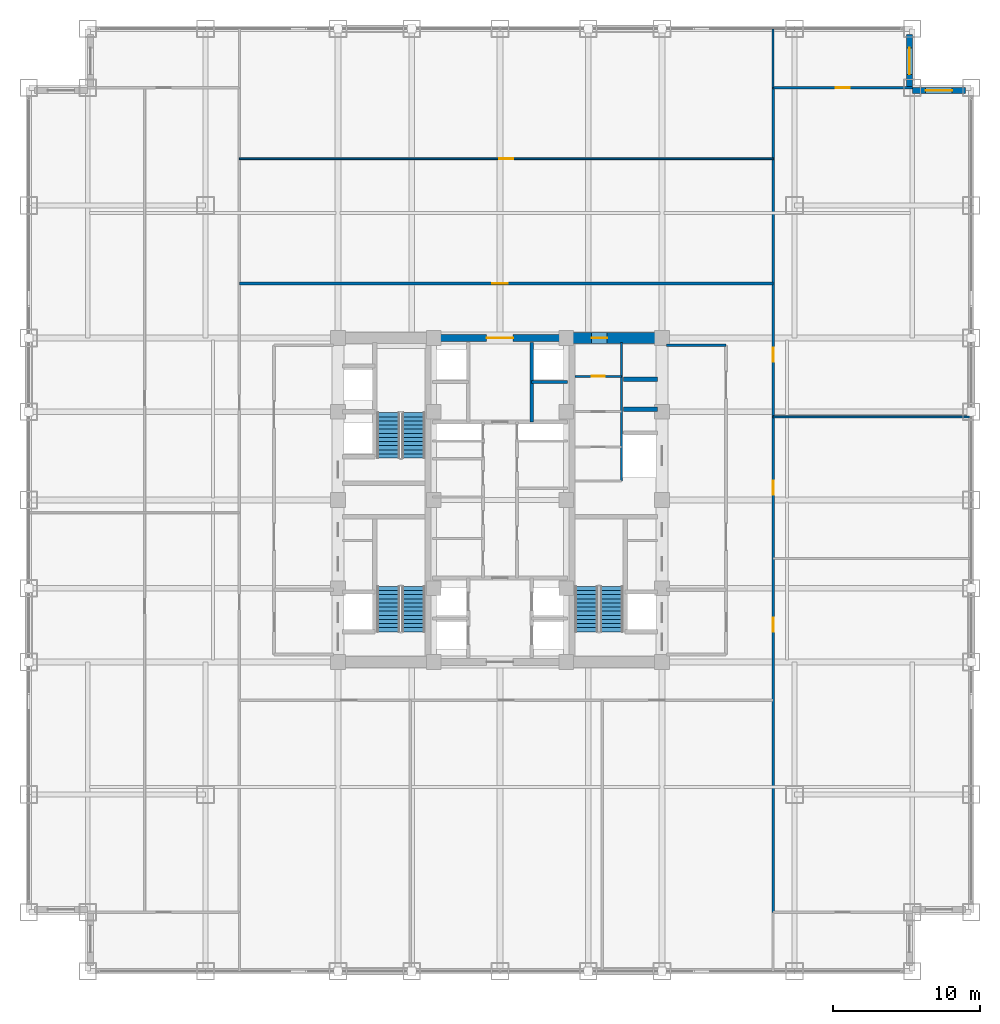
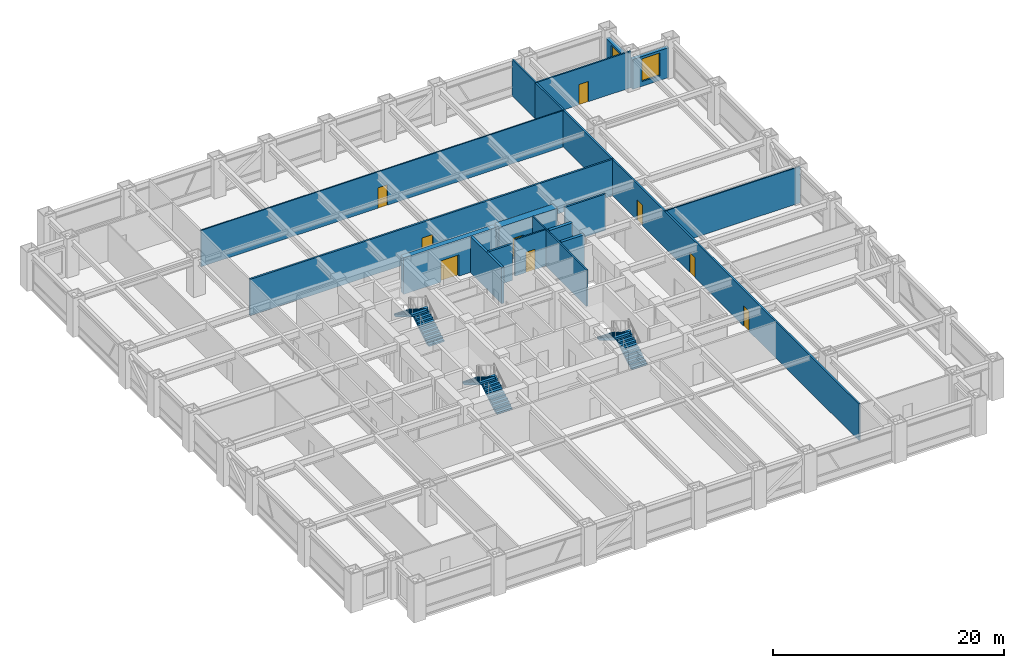
# One storey, part 26 of 27: 17 walls, 9 doors, 6 stair flights, 2 windows, 11 openings, 3 elements without a shape of their own.
"""IFC4 building model written with IfcOpenShell, lengths in metres."""

from ifc_helpers import new_model, si_unit, direction, frame, frame_2d, origin, place, context, subcontext, project, spatial, polyline, rectangle, outline, extrude, source, transform, mapped, material, layer, layer_set, type_object, element, fill, aggregate, save


model = new_model("IFC4")

# Units and contexts
model_context = context("Model", 3, precision=1e-05, world=origin(), true_north=direction((0.0, 1.0)))
body_context = subcontext(model_context, "Body", "Model", "MODEL_VIEW")
ifc_project = project(units=[si_unit("LENGTHUNIT", "METRE"), si_unit("AREAUNIT", "SQUARE_METRE"), si_unit("VOLUMEUNIT", "CUBIC_METRE"), si_unit("PLANEANGLEUNIT", "RADIAN"), si_unit("MASSUNIT", "GRAM", prefix="KILO")], contexts=[model_context])

# Site, building, storey
site_placement = place(None, origin())
site = spatial("IfcSite", under=ifc_project, at=site_placement, CompositionType="ELEMENT")
building_placement = place(site_placement, origin())
building = spatial("IfcBuilding", under=site, at=building_placement, Name="Khorayat Bourse Tower", CompositionType="ELEMENT")
storey_placement = place(building_placement, frame((0.0, 0.0, 107.800048828125)))
storey = spatial("IfcBuildingStorey", under=building, at=storey_placement, Name="L24", CompositionType="ELEMENT", Elevation=107.800048828125)

# Wall, opening, door
ifc_material_1 = material(Name="Concrete C72/90", Category="concrete")
ifc_layer_1 = layer(ifc_material_1, 0.75)
ifc_layer_set_1 = layer_set([ifc_layer_1], Name="Concrete C72/90")
wall_type_1 = type_object("IfcWallType", Name="WAL-CORE-750", PredefinedType="SHEAR", material=ifc_layer_set_1)
shared_shape_1 = source(origin(), body_context, "Body", "SweptSolid", [
    extrude(rectangle(XDim=5.849853515625, YDim=0.75, at=frame_2d((2.9248046875, 0.0))), origin(), (0.0, 0.0, 1.0), 3.83984375),
])
wall_1_placement = place(storey_placement, frame((4.85009765625, 11.0, 0.0), z_axis=(0.0, 0.0, 1.0), x_axis=(1.0, 0.0, 0.0)))
wall_1 = element("IfcWall", 1, at=wall_1_placement, inside=storey, type_object=wall_type_1, Name="L24 Core Shear Wall PIER-EN", PredefinedType="SHEAR", context=body_context, shape_type="MappedRepresentation", body=[
    mapped(shared_shape_1, transform((0.0, 0.0, 0.0), scale=1.0)),
])
shared_shape_2 = source(origin(), body_context, "Body", "SweptSolid", [
    extrude(rectangle(XDim=1.050048828125, YDim=2.199951171875, at=frame_2d((0.52490234375, 1.10009765625))), frame((0.0, 0.385009765625, 0.0), z_axis=(0.0, -1.0, 0.0), x_axis=(1.0, 0.0, 0.0)), (0.0, 0.0, 1.0), 0.77001953125),
])
opening_1_placement = place(wall_1_placement, frame((1.375, 0.0, 0.0)))
opening_1 = element("IfcOpeningElement", 2, at=opening_1_placement, cuts=wall_1, Name="Opening DI-04", PredefinedType="OPENING", context=body_context, shape_type="MappedRepresentation", body=[
    mapped(shared_shape_2, transform((0.0, 0.0, 0.0), scale=1.0)),
])
ifc_material_2 = material(Name="Fire-rated oak veneer suite entrance door")
door_type_1 = type_object("IfcDoorType", Name="DR-INT-SUITE-1050", OperationType="NOTDEFINED", PredefinedType="DOOR", material=ifc_material_2)
shared_shape_3 = source(origin(), body_context, "Body", "SweptSolid", [
    extrude(rectangle(XDim=1.050048828125, YDim=2.199951171875, at=frame_2d((0.52490234375, 1.10009765625))), frame((0.0, 0.02490234375, 0.0), z_axis=(0.0, -1.0, 0.0), x_axis=(1.0, 0.0, 0.0)), (0.0, 0.0, 1.0), 0.050048828125),
])
door_1_placement = place(opening_1_placement, origin())
door_1 = element("IfcDoor", 3, at=door_1_placement, inside=storey, type_object=door_type_1, Name="L24 Core Washroom Lobby Door", OperationType="SINGLE_SWING_LEFT", OverallHeight=2.199951171875, OverallWidth=1.050048828125, PredefinedType="DOOR", context=body_context, shape_type="MappedRepresentation", body=[
    mapped(shared_shape_3, transform((0.0, 0.0, 0.0), scale=1.0)),
])
fill(opening_1, door_1)

ifc_material_3 = material(Name="Concrete C52/65", Category="concrete")
ifc_layer_2 = layer(ifc_material_3, 0.5)
ifc_layer_set_2 = layer_set([ifc_layer_2], Name="Concrete C52/65")
wall_type_2 = type_object("IfcWallType", Name="WAL-CORE-500", PredefinedType="SHEAR", material=ifc_layer_set_2)
shared_shape_4 = source(origin(), body_context, "Body", "SweptSolid", [
    extrude(rectangle(XDim=9.2001953125, YDim=0.5, at=frame_2d((4.60009765625, 0.0))), origin(), (0.0, 0.0, 1.0), 3.83984375),
])
wall_2_placement = place(storey_placement, frame((-4.60009765625, 11.0, 0.0), z_axis=(0.0, 0.0, 1.0), x_axis=(1.0, 0.0, 0.0)))
wall_2 = element("IfcWall", 4, at=wall_2_placement, inside=storey, type_object=wall_type_2, Name="L24 Core Shear Wall CORE-N", PredefinedType="SHEAR", context=body_context, shape_type="MappedRepresentation", body=[
    mapped(shared_shape_4, transform((0.0, 0.0, 0.0), scale=1.0)),
])
shared_shape_5 = source(origin(), body_context, "Body", "SweptSolid", [
    extrude(rectangle(XDim=1.800048828125, YDim=2.25, at=frame_2d((0.89990234375, 1.125))), frame((0.0, 0.260009765625, 0.0), z_axis=(0.0, -1.0, 0.0), x_axis=(1.0, 0.0, 0.0)), (0.0, 0.0, 1.0), 0.52001953125),
])
opening_2_placement = place(wall_2_placement, frame((3.699951171875, 0.0, 0.0)))
opening_2 = element("IfcOpeningElement", 5, at=opening_2_placement, cuts=wall_2, Name="Opening DI-03", PredefinedType="OPENING", context=body_context, shape_type="MappedRepresentation", body=[
    mapped(shared_shape_5, transform((0.0, 0.0, 0.0), scale=1.0)),
])
ifc_material_4 = material(Name="Fire-rated hardwood vision-panel double leaf", Category="wood")
door_type_2 = type_object("IfcDoorType", Name="DR-INT-CORR-1800", OperationType="NOTDEFINED", PredefinedType="DOOR", material=ifc_material_4)
shared_shape_6 = source(origin(), body_context, "Body", "SweptSolid", [
    extrude(rectangle(XDim=1.800048828125, YDim=2.25, at=frame_2d((0.89990234375, 1.125))), frame((0.0, 0.02490234375, 0.0), z_axis=(0.0, -1.0, 0.0), x_axis=(1.0, 0.0, 0.0)), (0.0, 0.0, 1.0), 0.050048828125),
])
door_2_placement = place(opening_2_placement, origin())
door_2 = element("IfcDoor", 6, at=door_2_placement, inside=storey, type_object=door_type_2, Name="L24 Mid-Rise Lift Lobby Door", OperationType="SINGLE_SWING_RIGHT", OverallHeight=2.25, OverallWidth=1.800048828125, PredefinedType="DOOR", context=body_context, shape_type="MappedRepresentation", body=[
    mapped(shared_shape_6, transform((0.0, 0.0, 0.0), scale=1.0)),
])
fill(opening_2, door_2)

# Wall, opening, window
ifc_material_5 = material(Name="Precast concrete C45/55", Category="concrete")
ifc_layer_3 = layer(ifc_material_5, 0.3798828125)
ifc_layer_set_3 = layer_set([ifc_layer_3], Name="Precast concrete C45/55")
wall_type_3 = type_object("IfcWallType", Name="WAL-EXT-STONE-380", PredefinedType="STANDARD", material=ifc_layer_set_3)
shared_shape_7 = source(origin(), body_context, "Body", "SweptSolid", [
    extrude(rectangle(XDim=3.6201171875, YDim=0.3798828125, at=frame_2d((1.81005859375, 0.0))), origin(), (0.0, 0.0, 1.0), 3.14501953125),
])
wall_3_placement = place(storey_placement, frame((28.0, 27.81005859375, 0.0), z_axis=(0.0, 0.0, 1.0), x_axis=(1.0, 0.0, 0.0)))
wall_3 = element("IfcWall", 7, at=wall_3_placement, inside=storey, type_object=wall_type_3, Name="L24 Re-Entrant Notch Limestone Wall NE-H", PredefinedType="STANDARD", context=body_context, shape_type="MappedRepresentation", body=[
    mapped(shared_shape_7, transform((0.0, 0.0, 0.0), scale=1.0)),
])
shared_shape_8 = source(origin(), body_context, "Body", "SweptSolid", [
    extrude(rectangle(XDim=1.800048828125, YDim=2.39990234375, at=frame_2d((0.89990234375, 1.199951171875))), frame((0.0, 0.199951171875, 0.0), z_axis=(0.0, -1.0, 0.0), x_axis=(1.0, 0.0, 0.0)), (0.0, 0.0, 1.0), 0.39990234375),
])
opening_3_placement = place(wall_3_placement, frame((0.909912109375, 0.0, 0.5)))
opening_3 = element("IfcOpeningElement", 8, at=opening_3_placement, cuts=wall_3, Name="Opening WN-04", PredefinedType="OPENING", context=body_context, shape_type="MappedRepresentation", body=[
    mapped(shared_shape_8, transform((0.0, 0.0, 0.0), scale=1.0)),
])
ifc_material_6 = material(Name="Low-E acoustic laminated double glazing", Category="glass")
window_type = type_object("IfcWindowType", Name="WIN-NOTCH-1800x2400", PartitioningType="SINGLE_PANEL", PredefinedType="WINDOW", material=ifc_material_6)
shared_shape_9 = source(origin(), body_context, "Body", "SweptSolid", [
    extrude(rectangle(XDim=1.800048828125, YDim=2.39990234375, at=frame_2d((0.89990234375, 1.199951171875))), frame((0.0, 0.030029296875, 0.0), z_axis=(0.0, -1.0, 0.0), x_axis=(1.0, 0.0, 0.0)), (0.0, 0.0, 1.0), 0.06005859375),
])
window_1_placement = place(opening_3_placement, origin())
window_1 = element("IfcWindow", 9, at=window_1_placement, inside=storey, type_object=window_type, Name="L24 Facade Window 1", OverallHeight=2.39990234375, OverallWidth=1.800048828125, PartitioningType="SINGLE_PANEL", PredefinedType="WINDOW", context=body_context, shape_type="MappedRepresentation", body=[
    mapped(shared_shape_9, transform((0.0, 0.0, 0.0), scale=1.0)),
])
fill(opening_3, window_1)

wall_4_placement = place(storey_placement, frame((27.81005859375, 28.0, 0.0), z_axis=(0.0, 0.0, 1.0), x_axis=(0.0, 1.0, 0.0)))
wall_4 = element("IfcWall", 10, at=wall_4_placement, inside=storey, type_object=wall_type_3, Name="L24 Re-Entrant Notch Limestone Wall NE-V", PredefinedType="STANDARD", context=body_context, shape_type="MappedRepresentation", body=[
    mapped(shared_shape_7, transform((0.0, 0.0, 0.0), scale=1.0)),
])
opening_4_placement = place(wall_4_placement, frame((0.909912109375, 0.0, 0.5)))
opening_4 = element("IfcOpeningElement", 11, at=opening_4_placement, cuts=wall_4, Name="Opening WN-04", PredefinedType="OPENING", context=body_context, shape_type="MappedRepresentation", body=[
    mapped(shared_shape_8, transform((0.0, 0.0, 0.0), scale=1.0)),
])
window_2_placement = place(opening_4_placement, origin())
window_2 = element("IfcWindow", 12, at=window_2_placement, inside=storey, type_object=window_type, Name="L24 Facade Window 1", OverallHeight=2.39990234375, OverallWidth=1.800048828125, PartitioningType="SINGLE_PANEL", PredefinedType="WINDOW", context=body_context, shape_type="MappedRepresentation", body=[
    mapped(shared_shape_9, transform((0.0, 0.0, 0.0), scale=1.0)),
])
fill(opening_4, window_2)

# Walls
ifc_material_7 = material(Name="Concrete C50/60", Category="concrete")
ifc_layer_4 = layer(ifc_material_7, 0.300048828125)
ifc_layer_set_4 = layer_set([ifc_layer_4], Name="Concrete C50/60")
wall_type_4 = type_object("IfcWallType", Name="WAL-SHAFT-300", PredefinedType="SHEAR", material=ifc_layer_set_4)
shared_shape_10 = source(origin(), body_context, "Body", "SweptSolid", [
    extrude(rectangle(XDim=2.300048828125, YDim=0.300048828125, at=frame_2d((1.14990234375, 0.0))), origin(), (0.0, 0.0, 1.0), 3.83984375),
])
for number, where, z_axis, x_axis, name in (
    (13, (8.39990234375, 6.14990234375, 0.0), (0.0, 0.0, 1.0), (1.0, 0.0, 0.0), "L24 Partition WAL-L24-EPIER-H3S"),
    (14, (8.39990234375, 8.199951171875, 0.0), (0.0, 0.0, 1.0), (1.0, 0.0, 0.0), "L24 Partition WAL-L24-EPIER-H34"),
):
    element("IfcWall", number, at=place(storey_placement, frame(where, z_axis=z_axis, x_axis=x_axis)), inside=storey, type_object=wall_type_4, Name=name, PredefinedType="SHEAR", context=body_context, shape_type="MappedRepresentation", body=[
        mapped(shared_shape_10, transform((0.0, 0.0, 0.0), scale=1.0)),
    ])
ifc_material_8 = material(Name="Moisture-resistant masonry partition", Category="masonry")
ifc_layer_5 = layer(ifc_material_8, 0.139892578125)
ifc_layer_set_5 = layer_set([ifc_layer_5], Name="Moisture-resistant masonry partition")
wall_type_5 = type_object("IfcWallType", Name="WAL-PART-WET-140", PredefinedType="PARTITIONING", material=ifc_layer_set_5)
shared_shape_11 = source(origin(), body_context, "Body", "SweptSolid", [
    extrude(rectangle(XDim=9.39990234375, YDim=0.139892578125, at=frame_2d((4.699951171875, 0.0))), origin(), (0.0, 0.0, 1.0), 3.83984375),
])
wall_5_placement = place(storey_placement, frame((8.25, 1.300048828125, 0.0), z_axis=(0.0, 0.0, 1.0), x_axis=(0.0, 1.0, 0.0)))
element("IfcWall", 15, at=wall_5_placement, inside=storey, type_object=wall_type_5, Name="L24 Partition WAL-L24-ECORE-E", PredefinedType="PARTITIONING", context=body_context, shape_type="MappedRepresentation", body=[
    mapped(shared_shape_11, transform((0.0, 0.0, 0.0), scale=1.0)),
])

# Wall, opening, door
shared_shape_12 = source(origin(), body_context, "Body", "SweptSolid", [
    extrude(rectangle(XDim=3.14990234375, YDim=0.139892578125, at=frame_2d((1.574951171875, 0.0))), origin(), (0.0, 0.0, 1.0), 3.83984375),
])
wall_6_placement = place(storey_placement, frame((5.10009765625, 8.39990234375, 0.0), z_axis=(0.0, 0.0, 1.0), x_axis=(1.0, 0.0, 0.0)))
wall_6 = element("IfcWall", 16, at=wall_6_placement, inside=storey, type_object=wall_type_5, Name="L24 Partition WAL-L24-ECW-TOP", PredefinedType="PARTITIONING", context=body_context, shape_type="MappedRepresentation", body=[
    mapped(shared_shape_12, transform((0.0, 0.0, 0.0), scale=1.0)),
])
shared_shape_13 = source(origin(), body_context, "Body", "SweptSolid", [
    extrude(rectangle(XDim=0.89990234375, YDim=2.14990234375, at=frame_2d((0.449951171875, 1.074951171875))), frame((0.0, 0.079833984375, 0.0), z_axis=(0.0, -1.0, 0.0), x_axis=(1.0, 0.0, 0.0)), (0.0, 0.0, 1.0), 0.159912109375),
])
opening_5_placement = place(wall_6_placement, frame((1.1298828125, 0.0, 0.0)))
opening_5 = element("IfcOpeningElement", 17, at=opening_5_placement, cuts=wall_6, Name="Opening DI-06", PredefinedType="OPENING", context=body_context, shape_type="MappedRepresentation", body=[
    mapped(shared_shape_13, transform((0.0, 0.0, 0.0), scale=1.0)),
])
ifc_material_9 = material(Name="Moisture-resistant laminate washroom door")
door_type_3 = type_object("IfcDoorType", Name="DR-INT-WC-900", OperationType="NOTDEFINED", PredefinedType="DOOR", material=ifc_material_9)
shared_shape_14 = source(origin(), body_context, "Body", "SweptSolid", [
    extrude(rectangle(XDim=0.89990234375, YDim=2.14990234375, at=frame_2d((0.449951171875, 1.074951171875))), frame((0.0, 0.02490234375, 0.0), z_axis=(0.0, -1.0, 0.0), x_axis=(1.0, 0.0, 0.0)), (0.0, 0.0, 1.0), 0.050048828125),
])
door_3_placement = place(opening_5_placement, origin())
door_3 = element("IfcDoor", 18, at=door_3_placement, inside=storey, type_object=door_type_3, Name="L24 Accessible WC Door", OperationType="SINGLE_SWING_LEFT", OverallHeight=2.14990234375, OverallWidth=0.89990234375, PredefinedType="DOOR", context=body_context, shape_type="MappedRepresentation", body=[
    mapped(shared_shape_14, transform((0.0, 0.0, 0.0), scale=1.0)),
])
fill(opening_5, door_3)

# Walls
ifc_material_10 = material(Name="Gypsum plasterboard acoustic stud wall")
ifc_layer_6 = layer(ifc_material_10, 0.179931640625)
ifc_layer_set_6 = layer_set([ifc_layer_6], Name="Gypsum plasterboard acoustic stud wall")
wall_type_6 = type_object("IfcWallType", Name="WAL-PART-CORR-180", PredefinedType="PARTITIONING", material=ifc_layer_set_6)
shared_shape_15 = source(origin(), body_context, "Body", "SweptSolid", [
    extrude(rectangle(XDim=4.050048828125, YDim=0.179931640625, at=frame_2d((2.02490234375, 0.0))), origin(), (0.0, 0.0, 1.0), 3.83984375),
])
wall_7_placement = place(storey_placement, frame((11.300048828125, 10.5, 0.0), z_axis=(0.0, 0.0, 1.0), x_axis=(1.0, 0.0, 0.0)))
element("IfcWall", 19, at=wall_7_placement, inside=storey, type_object=wall_type_6, Name="L24 Partition WAL-L24-ELOB-N", PredefinedType="PARTITIONING", context=body_context, shape_type="MappedRepresentation", body=[
    mapped(shared_shape_15, transform((0.0, 0.0, 0.0), scale=1.0)),
])
shared_shape_16 = source(origin(), body_context, "Body", "SweptSolid", [
    extrude(rectangle(XDim=5.39990234375, YDim=0.25, at=frame_2d((2.699951171875, 0.0))), origin(), (0.0, 0.0, 1.0), 3.83984375),
])
wall_8_placement = place(storey_placement, frame((2.14990234375, 5.300048828125, 0.0), z_axis=(0.0, 0.0, 1.0), x_axis=(0.0, 1.0, 0.0)))
element("IfcWall", 20, at=wall_8_placement, inside=storey, type_object=wall_type_4, Name="L24 Partition WAL-L24-B2-E", PredefinedType="SHEAR", context=body_context, shape_type="MappedRepresentation", body=[
    mapped(shared_shape_16, transform((0.0, 0.0, 0.0), scale=1.0)),
])
shared_shape_17 = source(origin(), body_context, "Body", "SweptSolid", [
    extrude(rectangle(XDim=2.4501953125, YDim=0.199951171875, at=frame_2d((1.22509765625, 0.0))), origin(), (0.0, 0.0, 1.0), 3.83984375),
])
wall_9_placement = place(storey_placement, frame((2.14990234375, 8.0, 0.0), z_axis=(0.0, 0.0, 1.0), x_axis=(1.0, 0.0, 0.0)))
element("IfcWall", 21, at=wall_9_placement, inside=storey, type_object=wall_type_4, Name="L24 Partition WAL-L24-B2-ME", PredefinedType="SHEAR", context=body_context, shape_type="MappedRepresentation", body=[
    mapped(shared_shape_17, transform((0.0, 0.0, 0.0), scale=1.0)),
])
ifc_material_11 = material(Name="Gypsum plasterboard twin-frame partition")
ifc_layer_7 = layer(ifc_material_11, 0.14990234375)
ifc_layer_set_7 = layer_set([ifc_layer_7], Name="Gypsum plasterboard twin-frame partition")
wall_type_7 = type_object("IfcWallType", Name="WAL-PART-SUITE-150", PredefinedType="PARTITIONING", material=ifc_layer_set_7)
shared_shape_18 = source(origin(), body_context, "Body", "SweptSolid", [
    extrude(rectangle(XDim=4.0, YDim=0.14990234375, at=frame_2d((2.0, 0.0))), origin(), (0.0, 0.0, 1.0), 3.83984375),
])
wall_10_placement = place(storey_placement, frame((18.550048828125, 28.0, 0.0), z_axis=(0.0, 0.0, 1.0), x_axis=(0.0, 1.0, 0.0)))
element("IfcWall", 22, at=wall_10_placement, inside=storey, type_object=wall_type_7, Name="L24 Partition WAL-L24-NCE-END", PredefinedType="PARTITIONING", context=body_context, shape_type="MappedRepresentation", body=[
    mapped(shared_shape_18, transform((0.0, 0.0, 0.0), scale=1.0)),
])

# Wall, openings, doors
shared_shape_19 = source(origin(), body_context, "Body", "SweptSolid", [
    extrude(rectangle(XDim=56.0, YDim=0.179931640625, at=frame_2d((28.0, 0.0))), origin(), (0.0, 0.0, 1.0), 3.83984375),
])
wall_11_placement = place(storey_placement, frame((18.550048828125, -28.0, 0.0), z_axis=(0.0, 0.0, 1.0), x_axis=(0.0, 1.0, 0.0)))
wall_11 = element("IfcWall", 23, at=wall_11_placement, inside=storey, type_object=wall_type_6, Name="L24 Partition WAL-L24-ECORR", PredefinedType="PARTITIONING", context=body_context, shape_type="MappedRepresentation", body=[
    mapped(shared_shape_19, transform((0.0, 0.0, 0.0), scale=1.0)),
])
shared_shape_20 = source(origin(), body_context, "Body", "SweptSolid", [
    extrude(rectangle(XDim=0.949951171875, YDim=2.14990234375, at=frame_2d((0.47509765625, 1.074951171875))), frame((0.0, 0.099853515625, 0.0), z_axis=(0.0, -1.0, 0.0), x_axis=(1.0, 0.0, 0.0)), (0.0, 0.0, 1.0), 0.199951171875),
])
opening_6_placement = place(wall_11_placement, frame((19.035888671875, 0.0, 0.0)))
opening_6 = element("IfcOpeningElement", 24, at=opening_6_placement, cuts=wall_11, Name="Opening DI-05", PredefinedType="OPENING", context=body_context, shape_type="MappedRepresentation", body=[
    mapped(shared_shape_20, transform((0.0, 0.0, 0.0), scale=1.0)),
])
opening_7_placement = place(wall_11_placement, frame((28.35791015625, 0.0, 0.0)))
opening_7 = element("IfcOpeningElement", 25, at=opening_7_placement, cuts=wall_11, Name="Opening DI-05", PredefinedType="OPENING", context=body_context, shape_type="MappedRepresentation", body=[
    mapped(shared_shape_20, transform((0.0, 0.0, 0.0), scale=1.0)),
])
opening_8_placement = place(wall_11_placement, frame((37.39697265625, 0.0, 0.0)))
opening_8 = element("IfcOpeningElement", 26, at=opening_8_placement, cuts=wall_11, Name="Opening DI-05", PredefinedType="OPENING", context=body_context, shape_type="MappedRepresentation", body=[
    mapped(shared_shape_20, transform((0.0, 0.0, 0.0), scale=1.0)),
])
ifc_material_12 = material(Name="Acoustic oak veneer office door")
door_type_4 = type_object("IfcDoorType", Name="DR-INT-OFFICE-950", OperationType="NOTDEFINED", PredefinedType="DOOR", material=ifc_material_12)
shared_shape_21 = source(origin(), body_context, "Body", "SweptSolid", [
    extrude(rectangle(XDim=0.949951171875, YDim=2.14990234375, at=frame_2d((0.47509765625, 1.074951171875))), frame((0.0, 0.02490234375, 0.0), z_axis=(0.0, -1.0, 0.0), x_axis=(1.0, 0.0, 0.0)), (0.0, 0.0, 1.0), 0.050048828125),
])
door_4_placement = place(opening_6_placement, origin())
door_4 = element("IfcDoor", 27, at=door_4_placement, inside=storey, type_object=door_type_4, Name="L24 Floor Reception Concierge E1 Door", OperationType="SINGLE_SWING_RIGHT", OverallHeight=2.14990234375, OverallWidth=0.949951171875, PredefinedType="DOOR", context=body_context, shape_type="MappedRepresentation", body=[
    mapped(shared_shape_21, transform((0.0, 0.0, 0.0), scale=1.0)),
])
fill(opening_6, door_4)
door_5_placement = place(opening_7_placement, origin())
door_5 = element("IfcDoor", 28, at=door_5_placement, inside=storey, type_object=door_type_4, Name="L24 Equities Trading Desk E2 Door", OperationType="SINGLE_SWING_LEFT", OverallHeight=2.14990234375, OverallWidth=0.949951171875, PredefinedType="DOOR", context=body_context, shape_type="MappedRepresentation", body=[
    mapped(shared_shape_21, transform((0.0, 0.0, 0.0), scale=1.0)),
])
fill(opening_7, door_5)
door_6_placement = place(opening_8_placement, origin())
door_6 = element("IfcDoor", 29, at=door_6_placement, inside=storey, type_object=door_type_4, Name="L24 Executive Boardroom E3 Door", OperationType="SINGLE_SWING_RIGHT", OverallHeight=2.14990234375, OverallWidth=0.949951171875, PredefinedType="DOOR", context=body_context, shape_type="MappedRepresentation", body=[
    mapped(shared_shape_21, transform((0.0, 0.0, 0.0), scale=1.0)),
])
fill(opening_8, door_6)

# Wall, opening, door
shared_shape_22 = source(origin(), body_context, "Body", "SweptSolid", [
    extrude(rectangle(XDim=36.25, YDim=0.179931640625, at=frame_2d((18.125, 0.0))), origin(), (0.0, 0.0, 1.0), 3.83984375),
])
wall_12_placement = place(storey_placement, frame((-17.699951171875, 14.699951171875, 0.0), z_axis=(0.0, 0.0, 1.0), x_axis=(1.0, 0.0, 0.0)))
wall_12 = element("IfcWall", 30, at=wall_12_placement, inside=storey, type_object=wall_type_6, Name="L24 Partition WAL-L24-NCORR", PredefinedType="PARTITIONING", context=body_context, shape_type="MappedRepresentation", body=[
    mapped(shared_shape_22, transform((0.0, 0.0, 0.0), scale=1.0)),
])
shared_shape_23 = source(origin(), body_context, "Body", "SweptSolid", [
    extrude(rectangle(XDim=1.050048828125, YDim=2.199951171875, at=frame_2d((0.52490234375, 1.10009765625))), frame((0.0, 0.099853515625, 0.0), z_axis=(0.0, -1.0, 0.0), x_axis=(1.0, 0.0, 0.0)), (0.0, 0.0, 1.0), 0.199951171875),
])
opening_9_placement = place(wall_12_placement, frame((17.175048828125, 0.0, 0.0)))
opening_9 = element("IfcOpeningElement", 31, at=opening_9_placement, cuts=wall_12, Name="Opening DI-04", PredefinedType="OPENING", context=body_context, shape_type="MappedRepresentation", body=[
    mapped(shared_shape_23, transform((0.0, 0.0, 0.0), scale=1.0)),
])
door_7_placement = place(opening_9_placement, origin())
door_7 = element("IfcDoor", 32, at=door_7_placement, inside=storey, type_object=door_type_1, Name="L24 Financial Training Classroom N1 Door", OperationType="SINGLE_SWING_RIGHT", OverallHeight=2.199951171875, OverallWidth=1.050048828125, PredefinedType="DOOR", context=body_context, shape_type="MappedRepresentation", body=[
    mapped(shared_shape_3, transform((0.0, 0.0, 0.0), scale=1.0)),
])
fill(opening_9, door_7)

ifc_material_13 = material(Name="Gypsum plasterboard partition")
ifc_layer_8 = layer(ifc_material_13, 0.125)
ifc_layer_set_8 = layer_set([ifc_layer_8], Name="Gypsum plasterboard partition")
wall_type_8 = type_object("IfcWallType", Name="WAL-PART-ROOM-125", PredefinedType="PARTITIONING", material=ifc_layer_set_8)
shared_shape_24 = source(origin(), body_context, "Body", "SweptSolid", [
    extrude(rectangle(XDim=36.25, YDim=0.125, at=frame_2d((18.125, 0.0))), origin(), (0.0, 0.0, 1.0), 3.83984375),
])
wall_13_placement = place(storey_placement, frame((-17.699951171875, 23.177001953125, 0.0), z_axis=(0.0, 0.0, 1.0), x_axis=(1.0, 0.0, 0.0)))
wall_13 = element("IfcWall", 33, at=wall_13_placement, inside=storey, type_object=wall_type_8, Name="L24 Partition WAL-L24-NDP-1", PredefinedType="PARTITIONING", context=body_context, shape_type="MappedRepresentation", body=[
    mapped(shared_shape_24, transform((0.0, 0.0, 0.0), scale=1.0)),
])
shared_shape_25 = source(origin(), body_context, "Body", "SweptSolid", [
    extrude(rectangle(XDim=0.949951171875, YDim=2.14990234375, at=frame_2d((0.47509765625, 1.074951171875))), frame((0.0, 0.072509765625, 0.0), z_axis=(0.0, -1.0, 0.0), x_axis=(1.0, 0.0, 0.0)), (0.0, 0.0, 1.0), 0.14501953125),
])
opening_10_placement = place(wall_13_placement, frame((17.64990234375, 0.0, 0.0)))
opening_10 = element("IfcOpeningElement", 34, at=opening_10_placement, cuts=wall_13, Name="Opening DI-05", PredefinedType="OPENING", context=body_context, shape_type="MappedRepresentation", body=[
    mapped(shared_shape_25, transform((0.0, 0.0, 0.0), scale=1.0)),
])
door_8_placement = place(opening_10_placement, origin())
door_8 = element("IfcDoor", 35, at=door_8_placement, inside=storey, type_object=door_type_4, Name="L24 Market Committee Conference Room N1B Door", OperationType="SINGLE_SWING_RIGHT", OverallHeight=2.14990234375, OverallWidth=0.949951171875, PredefinedType="DOOR", context=body_context, shape_type="MappedRepresentation", body=[
    mapped(shared_shape_21, transform((0.0, 0.0, 0.0), scale=1.0)),
])
fill(opening_10, door_8)

# Wall
shared_shape_26 = source(origin(), body_context, "Body", "SweptSolid", [
    extrude(rectangle(XDim=13.449951171875, YDim=0.125, at=frame_2d((6.72509765625, 0.0))), origin(), (0.0, 0.0, 1.0), 3.83984375),
])
wall_14_placement = place(storey_placement, frame((18.550048828125, 5.64404296875, 0.0), z_axis=(0.0, 0.0, 1.0), x_axis=(1.0, 0.0, 0.0)))
element("IfcWall", 36, at=wall_14_placement, inside=storey, type_object=wall_type_8, Name="L24 Partition WAL-L24-EDV-2", PredefinedType="PARTITIONING", context=body_context, shape_type="MappedRepresentation", body=[
    mapped(shared_shape_26, transform((0.0, 0.0, 0.0), scale=1.0)),
])

# Wall, opening, door
shared_shape_27 = source(origin(), body_context, "Body", "SweptSolid", [
    extrude(rectangle(XDim=9.449951171875, YDim=0.14990234375, at=frame_2d((4.72509765625, 0.0))), origin(), (0.0, 0.0, 1.0), 3.83984375),
])
wall_15_placement = place(storey_placement, frame((18.550048828125, 28.0, 0.0), z_axis=(0.0, 0.0, 1.0), x_axis=(1.0, 0.0, 0.0)))
wall_15 = element("IfcWall", 37, at=wall_15_placement, inside=storey, type_object=wall_type_7, Name="L24 Partition WAL-L24-CNE", PredefinedType="PARTITIONING", context=body_context, shape_type="MappedRepresentation", body=[
    mapped(shared_shape_27, transform((0.0, 0.0, 0.0), scale=1.0)),
])
shared_shape_28 = source(origin(), body_context, "Body", "SweptSolid", [
    extrude(rectangle(XDim=0.949951171875, YDim=2.14990234375, at=frame_2d((0.47509765625, 1.074951171875))), frame((0.0, 0.0849609375, 0.0), z_axis=(0.0, -1.0, 0.0), x_axis=(1.0, 0.0, 0.0)), (0.0, 0.0, 1.0), 0.169921875),
])
opening_11_placement = place(wall_15_placement, frame((4.25, 0.0, 0.0)))
opening_11 = element("IfcOpeningElement", 38, at=opening_11_placement, cuts=wall_15, Name="Opening DI-05", PredefinedType="OPENING", context=body_context, shape_type="MappedRepresentation", body=[
    mapped(shared_shape_28, transform((0.0, 0.0, 0.0), scale=1.0)),
])
door_9_placement = place(opening_11_placement, origin())
door_9 = element("IfcDoor", 39, at=door_9_placement, inside=storey, type_object=door_type_4, Name="L24 North-East Corner Lounge Door", OperationType="SINGLE_SWING_LEFT", OverallHeight=2.14990234375, OverallWidth=0.949951171875, PredefinedType="DOOR", context=body_context, shape_type="MappedRepresentation", body=[
    mapped(shared_shape_21, transform((0.0, 0.0, 0.0), scale=1.0)),
])
fill(opening_11, door_9)

# Stair, stair flights
ifc_material_14 = material(Name="Concrete C40/50", Category="concrete")
stair_type = type_object("IfcStairType", Name="STR-CORE-1550", PredefinedType="HALF_TURN_STAIR", material=ifc_material_14)
stair_1_placement = place(storey_placement, origin())
stair_1 = element("IfcStair", 40, at=stair_1_placement, inside=storey, type_object=stair_type, Name="L24 Exit Stair ST-1", PredefinedType="HALF_TURN_STAIR")
stair_flight_type = type_object("IfcStairFlightType", Name="FLT-CORE-1550", PredefinedType="STRAIGHT", material=ifc_material_14)
shared_shape_29 = source(origin(), body_context, "Body", "SweptSolid", [
    extrude(outline(polyline([(0.0, 0.0), (0.0, 0.1708984375), (0.280029296875, 0.1708984375), (0.280029296875, 0.341552734375), (0.56005859375, 0.341552734375), (0.56005859375, 0.512451171875), (0.840087890625, 0.512451171875), (0.840087890625, 0.683349609375), (1.1201171875, 0.683349609375), (1.1201171875, 0.854248046875), (1.39990234375, 0.854248046875), (1.39990234375, 1.02490234375), (1.679931640625, 1.02490234375), (1.679931640625, 1.19580078125), (1.9599609375, 1.19580078125), (1.9599609375, 1.36669921875), (2.239990234375, 1.36669921875), (2.239990234375, 1.53759765625), (2.52001953125, 1.53759765625), (2.52001953125, 1.708251953125), (2.800048828125, 1.708251953125), (2.800048828125, 1.879150390625), (3.080078125, 1.879150390625), (3.080078125, 2.050048828125), (3.080078125, 1.66845703125), (0.345458984375, 0.0), (0.0, 0.0)])), frame((0.0, 0.77490234375, 0.0), z_axis=(0.0, -1.0, 0.0), x_axis=(1.0, 0.0, 0.0)), (0.0, 0.0, 1.0), 1.550048828125),
])
stair_flight_1_placement = place(storey_placement, frame((-5.875, -8.949951171875, 0.0), z_axis=(0.0, 0.0, 1.0), x_axis=(0.0, 1.0, 0.0)))
stair_flight_1 = element("IfcStairFlight", 41, at=stair_flight_1_placement, type_object=stair_flight_type, Name="ST-1 flight 1", NumberOfRisers=12, NumberOfTreads=11, PredefinedType="STRAIGHT", RiserHeight=0.170833333, TreadLength=0.28, context=body_context, shape_type="MappedRepresentation", body=[
    mapped(shared_shape_29, transform((0.0, 0.0, 0.0), scale=1.0)),
])
stair_flight_2_placement = place(storey_placement, frame((-7.574951171875, -5.8701171875, 2.050048828125), z_axis=(0.0, 0.0, 1.0), x_axis=(0.0, -1.0, 0.0)))
stair_flight_2 = element("IfcStairFlight", 42, at=stair_flight_2_placement, type_object=stair_flight_type, Name="ST-1 flight 2", NumberOfRisers=12, NumberOfTreads=11, PredefinedType="STRAIGHT", RiserHeight=0.170833333, TreadLength=0.28, context=body_context, shape_type="MappedRepresentation", body=[
    mapped(shared_shape_29, transform((0.0, 0.0, 0.0), scale=1.0)),
])
aggregate(stair_1, [stair_flight_1, stair_flight_2])

stair_2_placement = place(storey_placement, origin())
stair_2 = element("IfcStair", 43, at=stair_2_placement, inside=storey, type_object=stair_type, Name="L24 Exit Stair ST-2", PredefinedType="HALF_TURN_STAIR")
stair_flight_3_placement = place(storey_placement, frame((-5.875, 2.85009765625, 0.0), z_axis=(0.0, 0.0, 1.0), x_axis=(0.0, 1.0, 0.0)))
stair_flight_3 = element("IfcStairFlight", 44, at=stair_flight_3_placement, type_object=stair_flight_type, Name="ST-2 flight 1", NumberOfRisers=12, NumberOfTreads=11, PredefinedType="STRAIGHT", RiserHeight=0.170833333, TreadLength=0.28, context=body_context, shape_type="MappedRepresentation", body=[
    mapped(shared_shape_29, transform((0.0, 0.0, 0.0), scale=1.0)),
])
stair_flight_4_placement = place(storey_placement, frame((-7.574951171875, 5.929931640625, 2.050048828125), z_axis=(0.0, 0.0, 1.0), x_axis=(0.0, -1.0, 0.0)))
stair_flight_4 = element("IfcStairFlight", 45, at=stair_flight_4_placement, type_object=stair_flight_type, Name="ST-2 flight 2", NumberOfRisers=12, NumberOfTreads=11, PredefinedType="STRAIGHT", RiserHeight=0.170833333, TreadLength=0.28, context=body_context, shape_type="MappedRepresentation", body=[
    mapped(shared_shape_29, transform((0.0, 0.0, 0.0), scale=1.0)),
])
aggregate(stair_2, [stair_flight_3, stair_flight_4])

stair_3_placement = place(storey_placement, origin())
stair_3 = element("IfcStair", 46, at=stair_3_placement, inside=storey, type_object=stair_type, Name="L24 Exit Stair ST-3", PredefinedType="HALF_TURN_STAIR")
stair_flight_5_placement = place(storey_placement, frame((7.574951171875, -8.949951171875, 0.0), z_axis=(0.0, 0.0, 1.0), x_axis=(0.0, 1.0, 0.0)))
stair_flight_5 = element("IfcStairFlight", 47, at=stair_flight_5_placement, type_object=stair_flight_type, Name="ST-3 flight 1", NumberOfRisers=12, NumberOfTreads=11, PredefinedType="STRAIGHT", RiserHeight=0.170833333, TreadLength=0.28, context=body_context, shape_type="MappedRepresentation", body=[
    mapped(shared_shape_29, transform((0.0, 0.0, 0.0), scale=1.0)),
])
stair_flight_6_placement = place(storey_placement, frame((5.875, -5.8701171875, 2.050048828125), z_axis=(0.0, 0.0, 1.0), x_axis=(0.0, -1.0, 0.0)))
stair_flight_6 = element("IfcStairFlight", 48, at=stair_flight_6_placement, type_object=stair_flight_type, Name="ST-3 flight 2", NumberOfRisers=12, NumberOfTreads=11, PredefinedType="STRAIGHT", RiserHeight=0.170833333, TreadLength=0.28, context=body_context, shape_type="MappedRepresentation", body=[
    mapped(shared_shape_29, transform((0.0, 0.0, 0.0), scale=1.0)),
])
aggregate(stair_3, [stair_flight_5, stair_flight_6])

save(model, "model.ifc")
